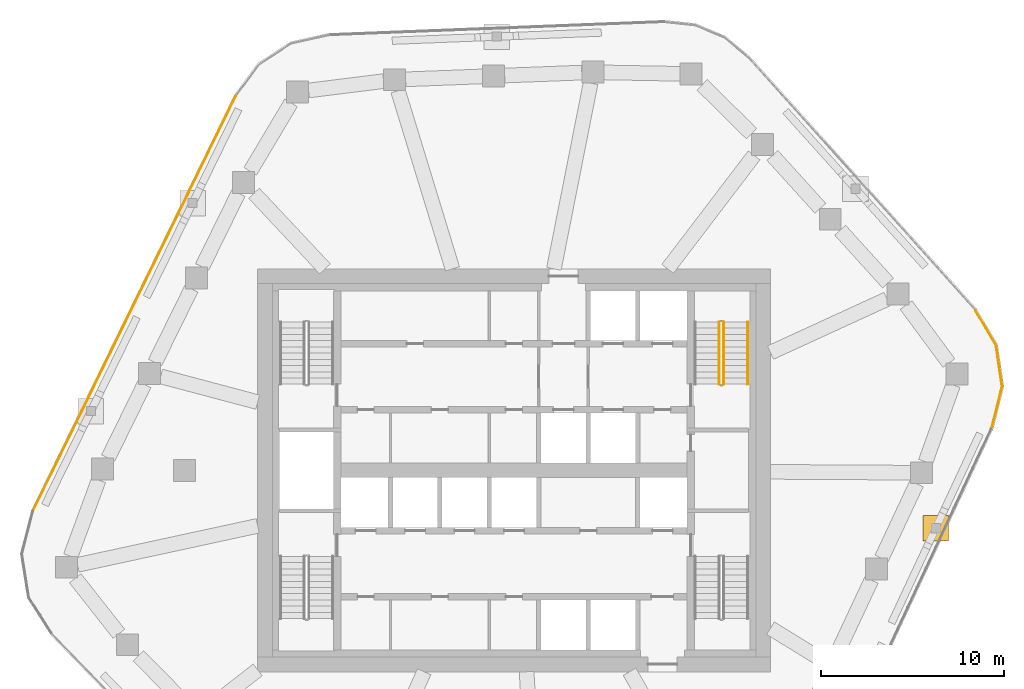
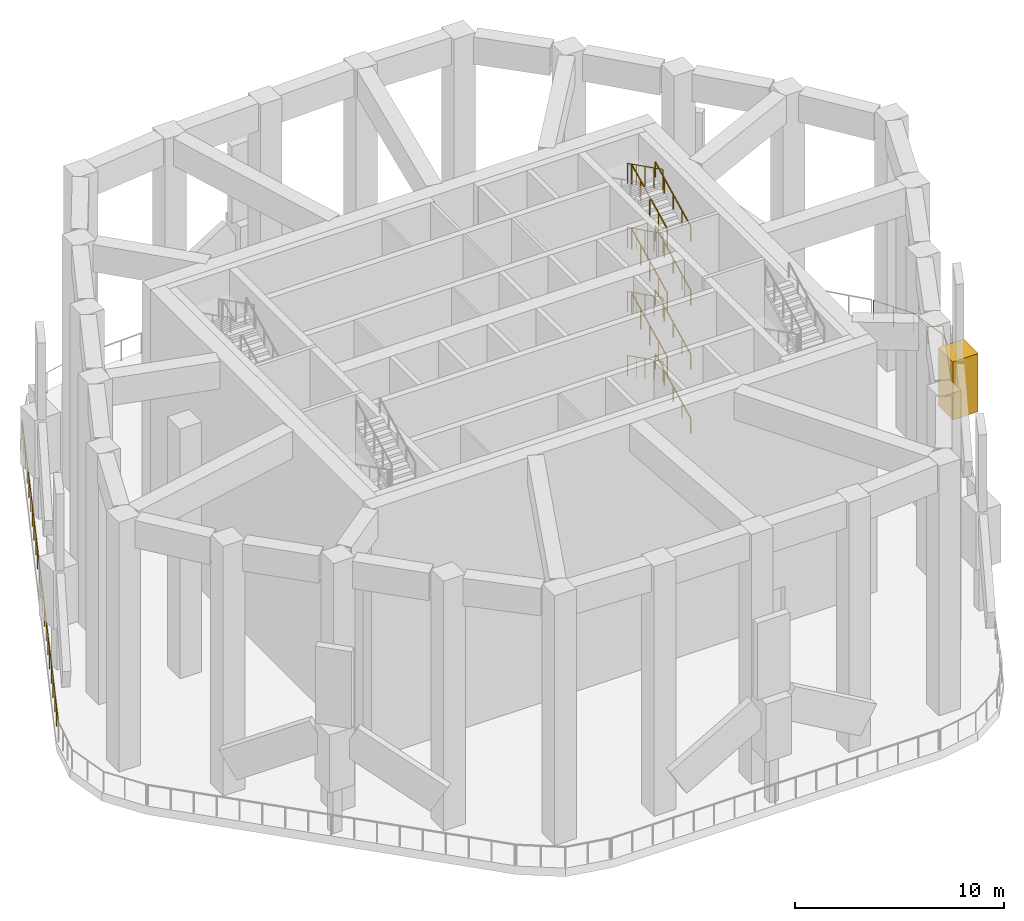
# One storey, part 10 of 12: 13 railings, 1 covering.
"""IFC4 building model written with IfcOpenShell, lengths in metres."""

from ifc_helpers import new_model, si_unit, direction, frame, origin, origin_2d, place, context, subcontext, project, spatial, rectangle, circle, extrude, material, material_profile, profile_set, type_object, element, save


model = new_model("IFC4")

# Units and contexts
model_context = context("Model", 3, precision=1e-05, world=origin(), true_north=direction((0.0, 1.0)))
body_context = subcontext(model_context, "Body", "Model", "MODEL_VIEW")
ifc_project = project(units=[si_unit("LENGTHUNIT", "METRE"), si_unit("AREAUNIT", "SQUARE_METRE"), si_unit("VOLUMEUNIT", "CUBIC_METRE"), si_unit("PLANEANGLEUNIT", "RADIAN"), si_unit("MASSUNIT", "GRAM", prefix="KILO")], contexts=[model_context])

# Site, building, storey
site_placement = place(None, origin())
site = spatial("IfcSite", under=ifc_project, at=site_placement, CompositionType="ELEMENT")
building_placement = place(site_placement, origin())
building = spatial("IfcBuilding", under=site, at=building_placement, Name="Dongbaek Canopy Tower", CompositionType="ELEMENT")
storey_placement = place(building_placement, frame((0.0, 0.0, 183.800048828125)))
storey = spatial("IfcBuildingStorey", under=building, at=storey_placement, Name="L40", CompositionType="ELEMENT", Elevation=183.800048828125)

# Railings
ifc_material_1 = material(Name="Stainless steel", Category="steel")
railing_type_1 = type_object("IfcRailingType", Name="Slot guard 1200", PredefinedType="GUARDRAIL", material=ifc_material_1)
railing_1_placement = place(storey_placement, frame((26.09619140625, 2.3603515625, 0.0)))
element("IfcRailing", 1, at=railing_1_placement, inside=storey, type_object=railing_type_1, Name="Slot guard L40 K0", PredefinedType="GUARDRAIL", context=body_context, shape_type="SweptSolid", body=[
    extrude(circle(Radius=0.02392578125, at=origin_2d()), frame((0.0, 0.0, 1.17578125), z_axis=(0.239503856894, 0.970895412768, 0.0), x_axis=(-0.970895412768, 0.239503856894, 0.0)), (0.0, 0.0, 1.0), 2.29345703125),
    extrude(circle(Radius=0.02392578125, at=origin_2d()), frame((0.54931640625, 2.226806640625, 1.17578125), z_axis=(-0.147195600803, 0.98910740322, 0.0), x_axis=(-0.98910740322, -0.147195600803, 0.0)), (0.0, 0.0, 1.0), 2.283935546875),
    extrude(circle(Radius=0.02392578125, at=origin_2d()), frame((0.213134765625, 4.48583984375, 1.17578125), z_axis=(-0.511890817381, 0.859050517188, 0.0), x_axis=(-0.859050517188, -0.511890817381, 0.0)), (0.0, 0.0, 1.0), 2.193359375),
    extrude(circle(Radius=0.02099609375, at=origin_2d()), origin(), (0.0, 0.0, 1.0), 1.15185546875),
    extrude(circle(Radius=0.02099609375, at=origin_2d()), frame((0.274658203125, 1.11328125, 0.0)), (0.0, 0.0, 1.0), 1.15185546875),
    extrude(circle(Radius=0.02099609375, at=origin_2d()), frame((0.54931640625, 2.226806640625, 0.0)), (0.0, 0.0, 1.0), 1.15185546875),
    extrude(circle(Radius=0.02099609375, at=origin_2d()), frame((0.38134765625, 3.3564453125, 0.0)), (0.0, 0.0, 1.0), 1.15185546875),
    extrude(circle(Radius=0.02099609375, at=origin_2d()), frame((0.213134765625, 4.48583984375, 0.0)), (0.0, 0.0, 1.0), 1.15185546875),
    extrude(circle(Radius=0.02099609375, at=origin_2d()), frame((-0.34814453125, 5.427978515625, 0.0)), (0.0, 0.0, 1.0), 1.15185546875),
    extrude(circle(Radius=0.02099609375, at=origin_2d()), frame((-0.90966796875, 6.3701171875, 0.0)), (0.0, 0.0, 1.0), 1.15185546875),
])
railing_2_placement = place(storey_placement, frame((-15.186767578125, 20.45458984375, 0.0)))
element("IfcRailing", 2, at=railing_2_placement, inside=storey, type_object=railing_type_1, Name="Slot guard L40 F2", PredefinedType="GUARDRAIL", context=body_context, shape_type="SweptSolid", body=[
    extrude(circle(Radius=0.02392578125, at=origin_2d()), frame((0.0, 0.0, 1.17578125), z_axis=(-0.439091973408, -0.898442117717, 0.0), x_axis=(0.898442117717, -0.439091973408, 0.0)), (0.0, 0.0, 1.0), 25.16357421875),
    extrude(circle(Radius=0.02099609375, at=origin_2d()), origin(), (0.0, 0.0, 1.0), 1.15185546875),
    extrude(circle(Radius=0.02099609375, at=origin_2d()), frame((-0.526123046875, -1.07666015625, 0.0)), (0.0, 0.0, 1.0), 1.15185546875),
    extrude(circle(Radius=0.02099609375, at=origin_2d()), frame((-1.05224609375, -2.153076171875, 0.0)), (0.0, 0.0, 1.0), 1.15185546875),
    extrude(circle(Radius=0.02099609375, at=origin_2d()), frame((-1.578369140625, -3.229736328125, 0.0)), (0.0, 0.0, 1.0), 1.15185546875),
    extrude(circle(Radius=0.02099609375, at=origin_2d()), frame((-2.1044921875, -4.30615234375, 0.0)), (0.0, 0.0, 1.0), 1.15185546875),
    extrude(circle(Radius=0.02099609375, at=origin_2d()), frame((-2.630615234375, -5.3828125, 0.0)), (0.0, 0.0, 1.0), 1.15185546875),
    extrude(circle(Radius=0.02099609375, at=origin_2d()), frame((-3.156982421875, -6.45947265625, 0.0)), (0.0, 0.0, 1.0), 1.15185546875),
    extrude(circle(Radius=0.02099609375, at=origin_2d()), frame((-3.68310546875, -7.535888671875, 0.0)), (0.0, 0.0, 1.0), 1.15185546875),
    extrude(circle(Radius=0.02099609375, at=origin_2d()), frame((-4.209228515625, -8.612548828125, 0.0)), (0.0, 0.0, 1.0), 1.15185546875),
    extrude(circle(Radius=0.02099609375, at=origin_2d()), frame((-4.7353515625, -9.689208984375, 0.0)), (0.0, 0.0, 1.0), 1.15185546875),
    extrude(circle(Radius=0.02099609375, at=origin_2d()), frame((-5.261474609375, -10.765625, 0.0)), (0.0, 0.0, 1.0), 1.15185546875),
    extrude(circle(Radius=0.02099609375, at=origin_2d()), frame((-5.78759765625, -11.84228515625, 0.0)), (0.0, 0.0, 1.0), 1.15185546875),
    extrude(circle(Radius=0.02099609375, at=origin_2d()), frame((-6.313720703125, -12.918701171875, 0.0)), (0.0, 0.0, 1.0), 1.15185546875),
    extrude(circle(Radius=0.02099609375, at=origin_2d()), frame((-6.83984375, -13.995361328125, 0.0)), (0.0, 0.0, 1.0), 1.15185546875),
    extrude(circle(Radius=0.02099609375, at=origin_2d()), frame((-7.365966796875, -15.072021484375, 0.0)), (0.0, 0.0, 1.0), 1.15185546875),
    extrude(circle(Radius=0.02099609375, at=origin_2d()), frame((-7.89208984375, -16.1484375, 0.0)), (0.0, 0.0, 1.0), 1.15185546875),
    extrude(circle(Radius=0.02099609375, at=origin_2d()), frame((-8.41845703125, -17.22509765625, 0.0)), (0.0, 0.0, 1.0), 1.15185546875),
    extrude(circle(Radius=0.02099609375, at=origin_2d()), frame((-8.944580078125, -18.3017578125, 0.0)), (0.0, 0.0, 1.0), 1.15185546875),
    extrude(circle(Radius=0.02099609375, at=origin_2d()), frame((-9.470703125, -19.378173828125, 0.0)), (0.0, 0.0, 1.0), 1.15185546875),
    extrude(circle(Radius=0.02099609375, at=origin_2d()), frame((-9.996826171875, -20.454833984375, 0.0)), (0.0, 0.0, 1.0), 1.15185546875),
    extrude(circle(Radius=0.02099609375, at=origin_2d()), frame((-10.52294921875, -21.53125, 0.0)), (0.0, 0.0, 1.0), 1.15185546875),
    extrude(circle(Radius=0.02099609375, at=origin_2d()), frame((-11.049072265625, -22.60791015625, 0.0)), (0.0, 0.0, 1.0), 1.15185546875),
])
ifc_material_2 = material(Name="Stainless steel tube and balusters", Category="steel")
railing_type_2 = type_object("IfcRailingType", Name="Stair guard 1200", PredefinedType="GUARDRAIL", material=ifc_material_2)
railing_3_placement = place(storey_placement, frame((11.199951171875, 8.10009765625, 2.04541015625)))
element("IfcRailing", 3, at=railing_3_placement, inside=storey, type_object=railing_type_2, Name="L40 ST-A stair guard 3", PredefinedType="GUARDRAIL", context=body_context, shape_type="SweptSolid", body=[
    extrude(circle(Radius=0.02392578125, at=origin_2d()), frame((0.0, 0.0, 1.17578125), z_axis=(0.0, -0.893951692422, 0.448163331406), x_axis=(1.0, 0.0, 0.0)), (0.0, 0.0, 1.0), 3.803466796875),
    extrude(circle(Radius=0.02099609375, at=origin_2d()), origin(), (0.0, 0.0, 1.0), 1.15185546875),
    extrude(circle(Radius=0.02099609375, at=origin_2d()), frame((0.0, -0.85009765625, 0.42626953125)), (0.0, 0.0, 1.0), 1.15185546875),
    extrude(circle(Radius=0.02099609375, at=origin_2d()), frame((0.0, -1.7001953125, 0.852294921875)), (0.0, 0.0, 1.0), 1.15185546875),
    extrude(circle(Radius=0.02099609375, at=origin_2d()), frame((0.0, -2.550048828125, 1.2783203125)), (0.0, 0.0, 1.0), 1.15185546875),
    extrude(circle(Radius=0.02099609375, at=origin_2d()), frame((0.0, -3.400146484375, 1.70458984375)), (0.0, 0.0, 1.0), 1.15185546875),
])
railing_4_placement = place(storey_placement, frame((11.449951171875, 4.699951171875, 3.92041015625)))
element("IfcRailing", 4, at=railing_4_placement, inside=storey, type_object=railing_type_2, Name="L40 ST-A stair guard 5", PredefinedType="GUARDRAIL", context=body_context, shape_type="SweptSolid", body=[
    extrude(circle(Radius=0.02392578125, at=origin_2d()), frame((0.0, 0.0, 1.17578125), z_axis=(0.0, 0.893951692422, 0.448163331406), x_axis=(-1.0, 0.0, 0.0)), (0.0, 0.0, 1.0), 3.803466796875),
    extrude(circle(Radius=0.02099609375, at=origin_2d()), origin(), (0.0, 0.0, 1.0), 1.15185546875),
    extrude(circle(Radius=0.02099609375, at=origin_2d()), frame((0.0, 0.85009765625, 0.42626953125)), (0.0, 0.0, 1.0), 1.15185546875),
    extrude(circle(Radius=0.02099609375, at=origin_2d()), frame((0.0, 1.7001953125, 0.852294921875)), (0.0, 0.0, 1.0), 1.15185546875),
    extrude(circle(Radius=0.02099609375, at=origin_2d()), frame((0.0, 2.550048828125, 1.2783203125)), (0.0, 0.0, 1.0), 1.15185546875),
    extrude(circle(Radius=0.02099609375, at=origin_2d()), frame((0.0, 3.400146484375, 1.70458984375)), (0.0, 0.0, 1.0), 1.15185546875),
])
railing_5_placement = place(storey_placement, frame((11.199951171875, 8.10009765625, 5.79541015625)))
element("IfcRailing", 5, at=railing_5_placement, inside=storey, type_object=railing_type_2, Name="L40 ST-A stair guard 7", PredefinedType="GUARDRAIL", context=body_context, shape_type="SweptSolid", body=[
    extrude(circle(Radius=0.02392578125, at=origin_2d()), frame((0.0, 0.0, 1.17578125), z_axis=(0.0, -0.893951692422, 0.448163331406), x_axis=(1.0, 0.0, 0.0)), (0.0, 0.0, 1.0), 3.803466796875),
    extrude(circle(Radius=0.02099609375, at=origin_2d()), origin(), (0.0, 0.0, 1.0), 1.15185546875),
    extrude(circle(Radius=0.02099609375, at=origin_2d()), frame((0.0, -0.85009765625, 0.42626953125)), (0.0, 0.0, 1.0), 1.15185546875),
    extrude(circle(Radius=0.02099609375, at=origin_2d()), frame((0.0, -1.7001953125, 0.852294921875)), (0.0, 0.0, 1.0), 1.15185546875),
    extrude(circle(Radius=0.02099609375, at=origin_2d()), frame((0.0, -2.550048828125, 1.2783203125)), (0.0, 0.0, 1.0), 1.15185546875),
    extrude(circle(Radius=0.02099609375, at=origin_2d()), frame((0.0, -3.400146484375, 1.70458984375)), (0.0, 0.0, 1.0), 1.15185546875),
])
railing_6_placement = place(storey_placement, frame((11.449951171875, 4.699951171875, 7.67041015625)))
element("IfcRailing", 6, at=railing_6_placement, inside=storey, type_object=railing_type_2, Name="L40 ST-A stair guard 9", PredefinedType="GUARDRAIL", context=body_context, shape_type="SweptSolid", body=[
    extrude(circle(Radius=0.02392578125, at=origin_2d()), frame((0.0, 0.0, 1.17578125), z_axis=(0.0, 0.893951692422, 0.448163331406), x_axis=(-1.0, 0.0, 0.0)), (0.0, 0.0, 1.0), 3.803466796875),
    extrude(circle(Radius=0.02099609375, at=origin_2d()), origin(), (0.0, 0.0, 1.0), 1.15185546875),
    extrude(circle(Radius=0.02099609375, at=origin_2d()), frame((0.0, 0.85009765625, 0.42626953125)), (0.0, 0.0, 1.0), 1.15185546875),
    extrude(circle(Radius=0.02099609375, at=origin_2d()), frame((0.0, 1.7001953125, 0.852294921875)), (0.0, 0.0, 1.0), 1.15185546875),
    extrude(circle(Radius=0.02099609375, at=origin_2d()), frame((0.0, 2.550048828125, 1.2783203125)), (0.0, 0.0, 1.0), 1.15185546875),
    extrude(circle(Radius=0.02099609375, at=origin_2d()), frame((0.0, 3.400146484375, 1.70458984375)), (0.0, 0.0, 1.0), 1.15185546875),
])
railing_7_placement = place(storey_placement, frame((11.199951171875, 8.10009765625, 9.54541015625)))
element("IfcRailing", 7, at=railing_7_placement, inside=storey, type_object=railing_type_2, Name="L40 ST-A stair guard 11", PredefinedType="GUARDRAIL", context=body_context, shape_type="SweptSolid", body=[
    extrude(circle(Radius=0.02392578125, at=origin_2d()), frame((0.0, 0.0, 1.17578125), z_axis=(0.0, -0.893951692422, 0.448163331406), x_axis=(1.0, 0.0, 0.0)), (0.0, 0.0, 1.0), 3.803466796875),
    extrude(circle(Radius=0.02099609375, at=origin_2d()), origin(), (0.0, 0.0, 1.0), 1.15185546875),
    extrude(circle(Radius=0.02099609375, at=origin_2d()), frame((0.0, -0.85009765625, 0.42626953125)), (0.0, 0.0, 1.0), 1.15185546875),
    extrude(circle(Radius=0.02099609375, at=origin_2d()), frame((0.0, -1.7001953125, 0.852294921875)), (0.0, 0.0, 1.0), 1.15185546875),
    extrude(circle(Radius=0.02099609375, at=origin_2d()), frame((0.0, -2.550048828125, 1.2783203125)), (0.0, 0.0, 1.0), 1.15185546875),
    extrude(circle(Radius=0.02099609375, at=origin_2d()), frame((0.0, -3.400146484375, 1.70458984375)), (0.0, 0.0, 1.0), 1.15185546875),
])
railing_8_placement = place(storey_placement, frame((11.449951171875, 4.699951171875, 11.42041015625)))
element("IfcRailing", 8, at=railing_8_placement, inside=storey, type_object=railing_type_2, Name="L40 ST-A stair guard 13", PredefinedType="GUARDRAIL", context=body_context, shape_type="SweptSolid", body=[
    extrude(circle(Radius=0.02392578125, at=origin_2d()), frame((0.0, 0.0, 1.17578125), z_axis=(0.0, 0.893951692422, 0.448163331406), x_axis=(-1.0, 0.0, 0.0)), (0.0, 0.0, 1.0), 3.803466796875),
    extrude(circle(Radius=0.02099609375, at=origin_2d()), origin(), (0.0, 0.0, 1.0), 1.15185546875),
    extrude(circle(Radius=0.02099609375, at=origin_2d()), frame((0.0, 0.85009765625, 0.42626953125)), (0.0, 0.0, 1.0), 1.15185546875),
    extrude(circle(Radius=0.02099609375, at=origin_2d()), frame((0.0, 1.7001953125, 0.852294921875)), (0.0, 0.0, 1.0), 1.15185546875),
    extrude(circle(Radius=0.02099609375, at=origin_2d()), frame((0.0, 2.550048828125, 1.2783203125)), (0.0, 0.0, 1.0), 1.15185546875),
    extrude(circle(Radius=0.02099609375, at=origin_2d()), frame((0.0, 3.400146484375, 1.70458984375)), (0.0, 0.0, 1.0), 1.15185546875),
])
railing_9_placement = place(storey_placement, frame((11.199951171875, 8.10009765625, 13.29541015625)))
element("IfcRailing", 9, at=railing_9_placement, inside=storey, type_object=railing_type_2, Name="L40 ST-A stair guard 15", PredefinedType="GUARDRAIL", context=body_context, shape_type="SweptSolid", body=[
    extrude(circle(Radius=0.02392578125, at=origin_2d()), frame((0.0, 0.0, 1.17578125), z_axis=(0.0, -0.893951692422, 0.448163331406), x_axis=(1.0, 0.0, 0.0)), (0.0, 0.0, 1.0), 3.803466796875),
    extrude(circle(Radius=0.02099609375, at=origin_2d()), origin(), (0.0, 0.0, 1.0), 1.15185546875),
    extrude(circle(Radius=0.02099609375, at=origin_2d()), frame((0.0, -0.85009765625, 0.42626953125)), (0.0, 0.0, 1.0), 1.15185546875),
    extrude(circle(Radius=0.02099609375, at=origin_2d()), frame((0.0, -1.7001953125, 0.852294921875)), (0.0, 0.0, 1.0), 1.15185546875),
    extrude(circle(Radius=0.02099609375, at=origin_2d()), frame((0.0, -2.550048828125, 1.2783203125)), (0.0, 0.0, 1.0), 1.15185546875),
    extrude(circle(Radius=0.02099609375, at=origin_2d()), frame((0.0, -3.400146484375, 1.70458984375)), (0.0, 0.0, 1.0), 1.15185546875),
])
ifc_material_3 = material(Name="Stainless steel tube", Category="steel")
railing_type_3 = type_object("IfcRailingType", Name="Stair handrail 900", PredefinedType="HANDRAIL", material=ifc_material_3)
for number, where, name in (
    (10, (12.75, 4.699951171875, 0.17041015625), "L40 ST-A stair handrail 1"),
    (11, (12.75, 4.699951171875, 3.92041015625), "L40 ST-A stair handrail 3"),
    (12, (12.75, 4.699951171875, 7.67041015625), "L40 ST-A stair handrail 5"),
    (13, (12.75, 4.699951171875, 11.42041015625), "L40 ST-A stair handrail 7"),
):
    element("IfcRailing", number, at=place(storey_placement, frame(where)), inside=storey, type_object=railing_type_3, Name=name, PredefinedType="HANDRAIL", context=body_context, shape_type="SweptSolid", body=[
        extrude(circle(Radius=0.02392578125, at=origin_2d()), frame((0.0, 0.0, 0.8759765625), z_axis=(0.0, 0.893951692422, 0.448163331406), x_axis=(-1.0, 0.0, 0.0)), (0.0, 0.0, 1.0), 3.803466796875),
        extrude(circle(Radius=0.02099609375, at=origin_2d()), origin(), (0.0, 0.0, 1.0), 0.851806640625),
        extrude(circle(Radius=0.02099609375, at=origin_2d()), frame((0.0, 0.85009765625, 0.42626953125)), (0.0, 0.0, 1.0), 0.851806640625),
        extrude(circle(Radius=0.02099609375, at=origin_2d()), frame((0.0, 1.7001953125, 0.852294921875)), (0.0, 0.0, 1.0), 0.851806640625),
        extrude(circle(Radius=0.02099609375, at=origin_2d()), frame((0.0, 2.550048828125, 1.2783203125)), (0.0, 0.0, 1.0), 0.851806640625),
        extrude(circle(Radius=0.02099609375, at=origin_2d()), frame((0.0, 3.400146484375, 1.70458984375)), (0.0, 0.0, 1.0), 0.851806640625),
    ])

# Covering
ifc_material_4 = material(Name="Aluminium 6063-T6 pale metal turbine rotor", Category="aluminium")
ifc_material_profile = material_profile(ifc_material_4, rectangle(XDim=1.39990234375, YDim=1.39990234375, at=origin_2d()), Name="Turbine hub 1400")
ifc_profile_set = profile_set([ifc_material_profile], Name="Aluminium 6063-T6 pale metal turbine rotor")
covering_type = type_object("IfcCoveringType", Name="Turbine hub 1400", PredefinedType="CLADDING", material=ifc_profile_set)
covering_placement = place(storey_placement, frame((23.019287109375, -3.166748046875, 2.807861328125), z_axis=(0.0, 0.0, 1.0), x_axis=(1.0, 0.0, 0.0)))
element("IfcCovering", 14, at=covering_placement, inside=storey, type_object=covering_type, Name="Turbine 8 hub", PredefinedType="CLADDING", context=body_context, shape_type="SweptSolid", body=[
    extrude(rectangle(XDim=1.39990234375, YDim=1.39990234375, at=origin_2d()), origin(), (0.0, 0.0, 1.0), 3.400146484375),
])

save(model, "model.ifc")
